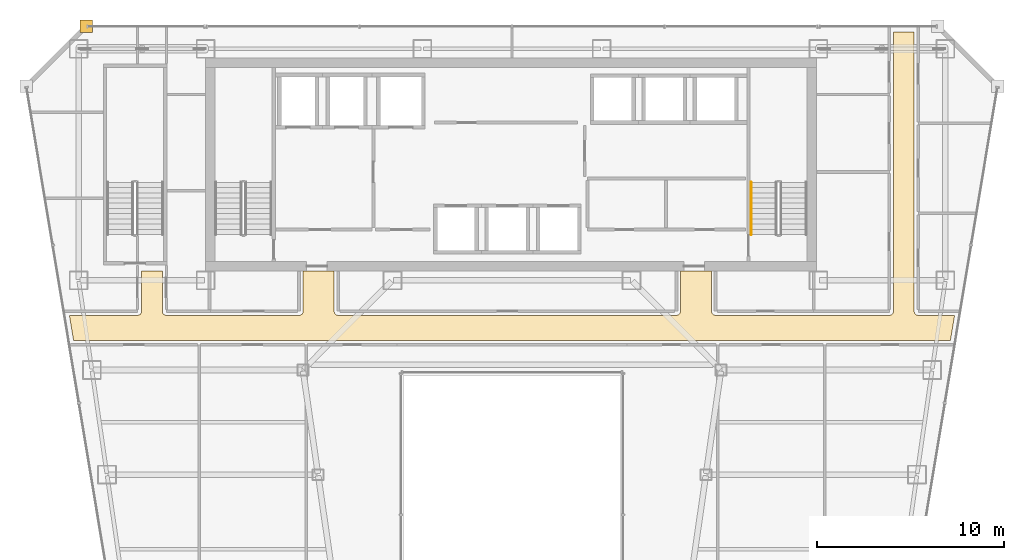
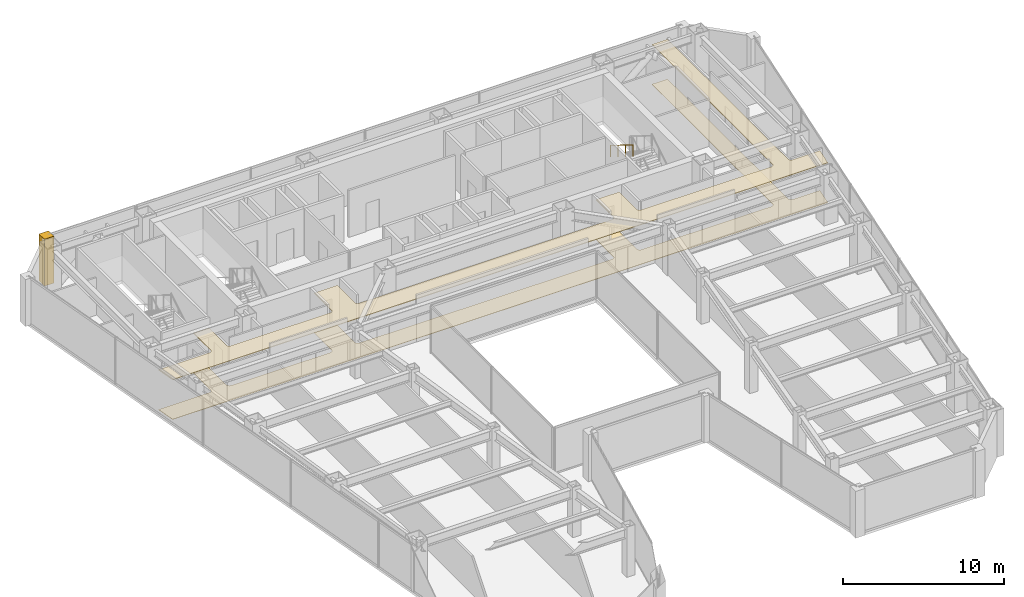
# One storey, part 39 of 40: 3 coverings, 1 railing.
"""IFC4 building model written with IfcOpenShell, lengths in metres."""

from ifc_helpers import new_model, si_unit, direction, frame, origin, origin_2d, place, context, subcontext, project, spatial, polyline, circle, outline, extrude, material, layer, layer_set, type_object, element, save


model = new_model("IFC4")

# Units and contexts
model_context = context("Model", 3, precision=1e-05, world=origin(), true_north=direction((0.0, 1.0)))
body_context = subcontext(model_context, "Body", "Model", "MODEL_VIEW")
ifc_project = project(units=[si_unit("LENGTHUNIT", "METRE"), si_unit("AREAUNIT", "SQUARE_METRE"), si_unit("VOLUMEUNIT", "CUBIC_METRE"), si_unit("PLANEANGLEUNIT", "RADIAN"), si_unit("MASSUNIT", "GRAM", prefix="KILO")], contexts=[model_context])

# Site, building, storey
site_placement = place(None, origin())
site = spatial("IfcSite", under=ifc_project, at=site_placement, CompositionType="ELEMENT")
building_placement = place(site_placement, origin())
building = spatial("IfcBuilding", under=site, at=building_placement, Name="Saevonmaru Cultural Tower", CompositionType="ELEMENT")
storey_placement = place(building_placement, frame((0.0, 0.0, 129.60009765625)))
storey = spatial("IfcBuildingStorey", under=building, at=storey_placement, Name="L27", CompositionType="ELEMENT", Elevation=129.60009765625)

# Coverings
ifc_material_1 = material(Name="Mineral Fibre Acoustic Ceiling", Category="gypsum")
ifc_layer_1 = layer(ifc_material_1, 0.044921875, Name="Mineral Fibre Acoustic Ceiling")
ifc_layer_set_1 = layer_set([ifc_layer_1], Name="Mineral Fibre Acoustic Ceiling")
covering_type_1 = type_object("IfcCoveringType", Name="CV-CEIL-ACOUSTIC", PredefinedType="CEILING", material=ifc_layer_set_1)
covering_1_placement = place(storey_placement, frame((0.0, 0.0, 3.0)))
element("IfcCovering", 1, at=covering_1_placement, inside=storey, type_object=covering_type_1, Name="L27 Corridor Acoustic Ceiling", PredefinedType="CEILING", context=body_context, shape_type="SweptSolid", body=[
    extrude(outline(polyline([(6.530029296875, 39.169921875), (6.302978515625, 40.530029296875), (9.949951171875, 40.530029296875), (9.971923828125, 40.531005859375), (9.992919921875, 40.533935546875), (10.013916015625, 40.5390625), (10.033935546875, 40.547119140625), (10.053955078125, 40.555908203125), (10.072021484375, 40.56689453125), (10.090087890625, 40.580078125), (10.10595703125, 40.593994140625), (10.1201171875, 40.610107421875), (10.133056640625, 40.6279296875), (10.14404296875, 40.64599609375), (10.153076171875, 40.666015625), (10.160888671875, 40.68603515625), (10.166015625, 40.70703125), (10.1689453125, 40.72802734375), (10.169921875, 40.75), (10.169921875, 42.889892578125), (11.280029296875, 42.889892578125), (11.280029296875, 40.75), (11.281005859375, 40.72802734375), (11.283935546875, 40.70703125), (11.2890625, 40.68603515625), (11.297119140625, 40.666015625), (11.305908203125, 40.64599609375), (11.31689453125, 40.6279296875), (11.330078125, 40.610107421875), (11.343994140625, 40.593994140625), (11.360107421875, 40.580078125), (11.3779296875, 40.56689453125), (11.39599609375, 40.555908203125), (11.416015625, 40.547119140625), (11.43603515625, 40.5390625), (11.45703125, 40.533935546875), (11.47802734375, 40.531005859375), (11.5, 40.530029296875), (18.60009765625, 40.530029296875), (18.6220703125, 40.531005859375), (18.64306640625, 40.533935546875), (18.6640625, 40.5390625), (18.68408203125, 40.547119140625), (18.7041015625, 40.555908203125), (18.721923828125, 40.56689453125), (18.739990234375, 40.580078125), (18.756103515625, 40.593994140625), (18.77001953125, 40.610107421875), (18.782958984375, 40.6279296875), (18.7939453125, 40.64599609375), (18.802978515625, 40.666015625), (18.81103515625, 40.68603515625), (18.81591796875, 40.70703125), (18.819091796875, 40.72802734375), (18.820068359375, 40.75), (18.820068359375, 42.889892578125), (20.47998046875, 42.889892578125), (20.47998046875, 40.75), (20.48095703125, 40.72802734375), (20.48388671875, 40.70703125), (20.489013671875, 40.68603515625), (20.4970703125, 40.666015625), (20.506103515625, 40.64599609375), (20.51708984375, 40.6279296875), (20.530029296875, 40.610107421875), (20.5439453125, 40.593994140625), (20.56005859375, 40.580078125), (20.577880859375, 40.56689453125), (20.595947265625, 40.555908203125), (20.615966796875, 40.547119140625), (20.635986328125, 40.5390625), (20.656982421875, 40.533935546875), (20.677978515625, 40.531005859375), (20.699951171875, 40.530029296875), (38.800048828125, 40.530029296875), (38.822021484375, 40.531005859375), (38.843017578125, 40.533935546875), (38.864013671875, 40.5390625), (38.884033203125, 40.547119140625), (38.904052734375, 40.555908203125), (38.922119140625, 40.56689453125), (38.93994140625, 40.580078125), (38.9560546875, 40.593994140625), (38.969970703125, 40.610107421875), (38.98291015625, 40.6279296875), (38.993896484375, 40.64599609375), (39.0029296875, 40.666015625), (39.010986328125, 40.68603515625), (39.01611328125, 40.70703125), (39.01904296875, 40.72802734375), (39.02001953125, 40.75), (39.02001953125, 42.889892578125), (40.679931640625, 42.889892578125), (40.679931640625, 40.75), (40.680908203125, 40.72802734375), (40.68408203125, 40.70703125), (40.68896484375, 40.68603515625), (40.697021484375, 40.666015625), (40.7060546875, 40.64599609375), (40.717041015625, 40.6279296875), (40.72998046875, 40.610107421875), (40.743896484375, 40.593994140625), (40.760009765625, 40.580078125), (40.778076171875, 40.56689453125), (40.7958984375, 40.555908203125), (40.81591796875, 40.547119140625), (40.8359375, 40.5390625), (40.85693359375, 40.533935546875), (40.8779296875, 40.531005859375), (40.89990234375, 40.530029296875), (50.199951171875, 40.530029296875), (50.221923828125, 40.531005859375), (50.242919921875, 40.533935546875), (50.263916015625, 40.5390625), (50.283935546875, 40.547119140625), (50.303955078125, 40.555908203125), (50.322021484375, 40.56689453125), (50.340087890625, 40.580078125), (50.35595703125, 40.593994140625), (50.3701171875, 40.610107421875), (50.383056640625, 40.6279296875), (50.39404296875, 40.64599609375), (50.403076171875, 40.666015625), (50.410888671875, 40.68603515625), (50.416015625, 40.70703125), (50.4189453125, 40.72802734375), (50.419921875, 40.75), (50.419921875, 55.699951171875), (51.530029296875, 55.699951171875), (51.530029296875, 40.75), (51.531005859375, 40.72802734375), (51.533935546875, 40.70703125), (51.5390625, 40.68603515625), (51.547119140625, 40.666015625), (51.555908203125, 40.64599609375), (51.56689453125, 40.6279296875), (51.580078125, 40.610107421875), (51.593994140625, 40.593994140625), (51.610107421875, 40.580078125), (51.6279296875, 40.56689453125), (51.64599609375, 40.555908203125), (51.666015625, 40.547119140625), (51.68603515625, 40.5390625), (51.70703125, 40.533935546875), (51.72802734375, 40.531005859375), (51.75, 40.530029296875), (53.697021484375, 40.530029296875), (53.469970703125, 39.169921875), (6.530029296875, 39.169921875)])), origin(), (0.0, 0.0, 1.0), 0.044921875),
])
ifc_material_2 = material(Name="Satin Bronze Anodised Aluminium", Category="aluminium")
ifc_layer_2 = layer(ifc_material_2, 0.679931640625, Name="Satin Bronze Anodised Aluminium")
ifc_layer_set_2 = layer_set([ifc_layer_2], Name="Satin Bronze Anodised Aluminium")
covering_type_2 = type_object("IfcCoveringType", Name="CV-CORNER-CLAD", PredefinedType="CLADDING", material=ifc_layer_set_2)
covering_2_placement = place(storey_placement, origin())
element("IfcCovering", 2, at=covering_2_placement, inside=storey, type_object=covering_type_2, Name="L27 Tower Bronze Corner Cladding Pier 11", PredefinedType="CLADDING", context=body_context, shape_type="SweptSolid", body=[
    extrude(outline(polyline([(6.860107421875, 55.659912109375), (7.5400390625, 55.659912109375), (7.5400390625, 56.340087890625), (6.860107421875, 56.340087890625), (6.860107421875, 55.659912109375)])), origin(), (0.0, 0.0, 1.0), 3.5498046875),
])
ifc_material_3 = material(Name="Honed Granite Terrazzo", Category="masonry")
ifc_layer_3 = layer(ifc_material_3, 0.030029296875, Name="Honed Granite Terrazzo")
ifc_layer_set_3 = layer_set([ifc_layer_3], Name="Honed Granite Terrazzo")
covering_type_3 = type_object("IfcCoveringType", Name="CV-FLR-TERRAZZO", PredefinedType="FLOORING", material=ifc_layer_set_3)
covering_3_placement = place(storey_placement, origin())
element("IfcCovering", 3, at=covering_3_placement, inside=storey, type_object=covering_type_3, Name="L27 Corridor Terrazzo Flooring", PredefinedType="FLOORING", context=body_context, shape_type="SweptSolid", body=[
    extrude(outline(polyline([(6.530029296875, 39.169921875), (6.302978515625, 40.530029296875), (9.949951171875, 40.530029296875), (9.971923828125, 40.531005859375), (9.992919921875, 40.533935546875), (10.013916015625, 40.5390625), (10.033935546875, 40.547119140625), (10.053955078125, 40.555908203125), (10.072021484375, 40.56689453125), (10.090087890625, 40.580078125), (10.10595703125, 40.593994140625), (10.1201171875, 40.610107421875), (10.133056640625, 40.6279296875), (10.14404296875, 40.64599609375), (10.153076171875, 40.666015625), (10.160888671875, 40.68603515625), (10.166015625, 40.70703125), (10.1689453125, 40.72802734375), (10.169921875, 40.75), (10.169921875, 42.889892578125), (11.280029296875, 42.889892578125), (11.280029296875, 40.75), (11.281005859375, 40.72802734375), (11.283935546875, 40.70703125), (11.2890625, 40.68603515625), (11.297119140625, 40.666015625), (11.305908203125, 40.64599609375), (11.31689453125, 40.6279296875), (11.330078125, 40.610107421875), (11.343994140625, 40.593994140625), (11.360107421875, 40.580078125), (11.3779296875, 40.56689453125), (11.39599609375, 40.555908203125), (11.416015625, 40.547119140625), (11.43603515625, 40.5390625), (11.45703125, 40.533935546875), (11.47802734375, 40.531005859375), (11.5, 40.530029296875), (18.60009765625, 40.530029296875), (18.6220703125, 40.531005859375), (18.64306640625, 40.533935546875), (18.6640625, 40.5390625), (18.68408203125, 40.547119140625), (18.7041015625, 40.555908203125), (18.721923828125, 40.56689453125), (18.739990234375, 40.580078125), (18.756103515625, 40.593994140625), (18.77001953125, 40.610107421875), (18.782958984375, 40.6279296875), (18.7939453125, 40.64599609375), (18.802978515625, 40.666015625), (18.81103515625, 40.68603515625), (18.81591796875, 40.70703125), (18.819091796875, 40.72802734375), (18.820068359375, 40.75), (18.820068359375, 42.889892578125), (20.47998046875, 42.889892578125), (20.47998046875, 40.75), (20.48095703125, 40.72802734375), (20.48388671875, 40.70703125), (20.489013671875, 40.68603515625), (20.4970703125, 40.666015625), (20.506103515625, 40.64599609375), (20.51708984375, 40.6279296875), (20.530029296875, 40.610107421875), (20.5439453125, 40.593994140625), (20.56005859375, 40.580078125), (20.577880859375, 40.56689453125), (20.595947265625, 40.555908203125), (20.615966796875, 40.547119140625), (20.635986328125, 40.5390625), (20.656982421875, 40.533935546875), (20.677978515625, 40.531005859375), (20.699951171875, 40.530029296875), (38.800048828125, 40.530029296875), (38.822021484375, 40.531005859375), (38.843017578125, 40.533935546875), (38.864013671875, 40.5390625), (38.884033203125, 40.547119140625), (38.904052734375, 40.555908203125), (38.922119140625, 40.56689453125), (38.93994140625, 40.580078125), (38.9560546875, 40.593994140625), (38.969970703125, 40.610107421875), (38.98291015625, 40.6279296875), (38.993896484375, 40.64599609375), (39.0029296875, 40.666015625), (39.010986328125, 40.68603515625), (39.01611328125, 40.70703125), (39.01904296875, 40.72802734375), (39.02001953125, 40.75), (39.02001953125, 42.889892578125), (40.679931640625, 42.889892578125), (40.679931640625, 40.75), (40.680908203125, 40.72802734375), (40.68408203125, 40.70703125), (40.68896484375, 40.68603515625), (40.697021484375, 40.666015625), (40.7060546875, 40.64599609375), (40.717041015625, 40.6279296875), (40.72998046875, 40.610107421875), (40.743896484375, 40.593994140625), (40.760009765625, 40.580078125), (40.778076171875, 40.56689453125), (40.7958984375, 40.555908203125), (40.81591796875, 40.547119140625), (40.8359375, 40.5390625), (40.85693359375, 40.533935546875), (40.8779296875, 40.531005859375), (40.89990234375, 40.530029296875), (50.199951171875, 40.530029296875), (50.221923828125, 40.531005859375), (50.242919921875, 40.533935546875), (50.263916015625, 40.5390625), (50.283935546875, 40.547119140625), (50.303955078125, 40.555908203125), (50.322021484375, 40.56689453125), (50.340087890625, 40.580078125), (50.35595703125, 40.593994140625), (50.3701171875, 40.610107421875), (50.383056640625, 40.6279296875), (50.39404296875, 40.64599609375), (50.403076171875, 40.666015625), (50.410888671875, 40.68603515625), (50.416015625, 40.70703125), (50.4189453125, 40.72802734375), (50.419921875, 40.75), (50.419921875, 55.699951171875), (51.530029296875, 55.699951171875), (51.530029296875, 40.75), (51.531005859375, 40.72802734375), (51.533935546875, 40.70703125), (51.5390625, 40.68603515625), (51.547119140625, 40.666015625), (51.555908203125, 40.64599609375), (51.56689453125, 40.6279296875), (51.580078125, 40.610107421875), (51.593994140625, 40.593994140625), (51.610107421875, 40.580078125), (51.6279296875, 40.56689453125), (51.64599609375, 40.555908203125), (51.666015625, 40.547119140625), (51.68603515625, 40.5390625), (51.70703125, 40.533935546875), (51.72802734375, 40.531005859375), (51.75, 40.530029296875), (53.697021484375, 40.530029296875), (53.469970703125, 39.169921875), (6.530029296875, 39.169921875)])), origin(), (0.0, 0.0, 1.0), 0.02978515625),
])

# Railing
railing_type = type_object("IfcRailingType", Name="RL-STAIR-HANDRAIL", PredefinedType="HANDRAIL", material=ifc_material_2)
railing_placement = place(storey_placement, frame((42.800048828125, 47.64990234375, 2.072509765625)))
element("IfcRailing", 4, at=railing_placement, inside=storey, type_object=railing_type, Name="L27 ST-2 stair handrail 2", PredefinedType="HANDRAIL", context=body_context, shape_type="SweptSolid", body=[
    extrude(circle(Radius=0.02392578125, at=origin_2d()), frame((0.0, 0.0, 0.8759765625), z_axis=(0.0, -0.851069175582, 0.525053576669), x_axis=(1.0, 0.0, 0.0)), (0.0, 0.0, 1.0), 3.289794921875),
    extrude(circle(Radius=0.02099609375, at=origin_2d()), origin(), (0.0, 0.0, 1.0), 0.851806640625),
    extrude(circle(Radius=0.02099609375, at=origin_2d()), frame((0.0, -0.933349609375, 0.57568359375)), (0.0, 0.0, 1.0), 0.851806640625),
    extrude(circle(Radius=0.02099609375, at=origin_2d()), frame((0.0, -1.866455078125, 1.151611328125)), (0.0, 0.0, 1.0), 0.851806640625),
    extrude(circle(Radius=0.02099609375, at=origin_2d()), frame((0.0, -2.7998046875, 1.727294921875)), (0.0, 0.0, 1.0), 0.851806640625),
])

save(model, "model.ifc")
